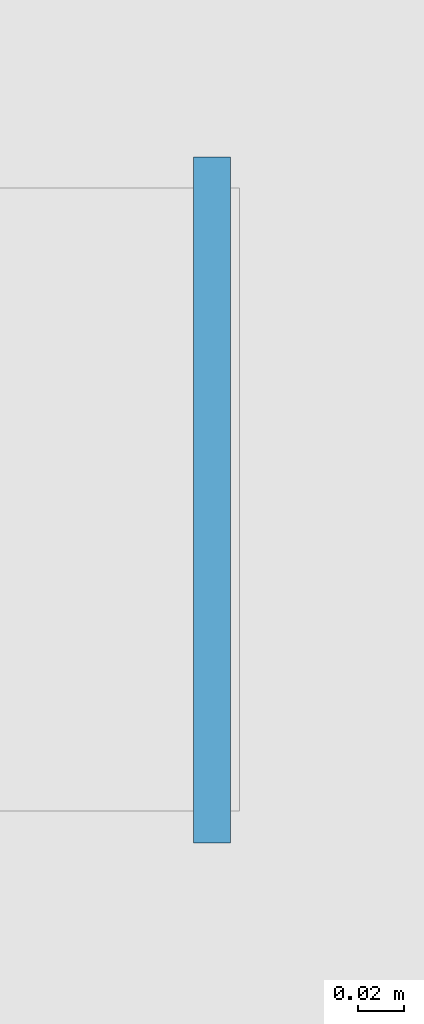
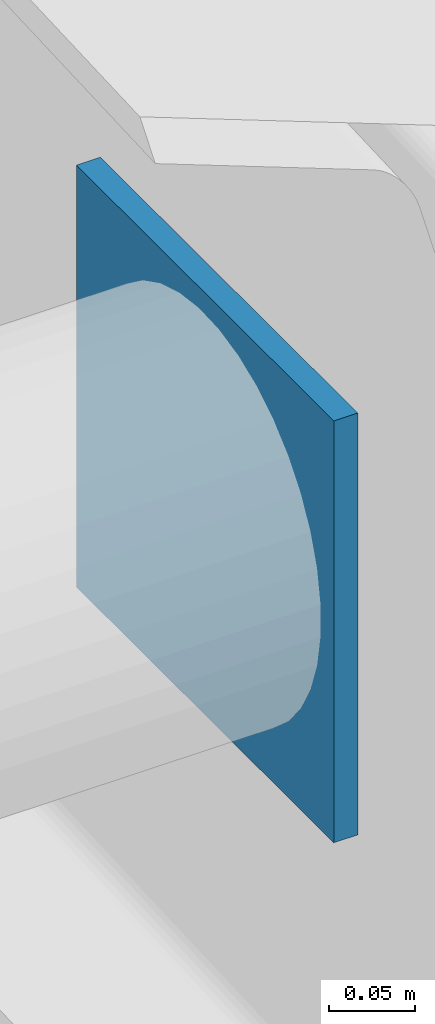
# One storey, part 82 of 150: 1 plate.
"""IFC4 building model written with IfcOpenShell, lengths in metres."""

from ifc_helpers import new_model, si_unit, direction, frame, origin, origin_2d, place, context, subcontext, project, spatial, rectangle, extrude, material, layer, layer_set, type_object, element, save


model = new_model("IFC4")

# Units and contexts
model_context = context("Model", 3, precision=1e-05, world=origin(), true_north=direction((0.0, 1.0)))
body_context = subcontext(model_context, "Body", "Model", "MODEL_VIEW")
ifc_project = project(units=[si_unit("LENGTHUNIT", "METRE"), si_unit("AREAUNIT", "SQUARE_METRE"), si_unit("VOLUMEUNIT", "CUBIC_METRE"), si_unit("PLANEANGLEUNIT", "RADIAN"), si_unit("MASSUNIT", "GRAM", prefix="KILO")], contexts=[model_context])

# Site, building, storey
site_placement = place(None, origin())
site = spatial("IfcSite", under=ifc_project, at=site_placement, CompositionType="ELEMENT")
building_placement = place(site_placement, origin())
building = spatial("IfcBuilding", under=site, at=building_placement, Name="Kestramere Prow Commons", CompositionType="ELEMENT")
storey_placement = place(building_placement, frame((0.0, 0.0, 4.5)))
storey = spatial("IfcBuildingStorey", under=building, at=storey_placement, Name="L01", CompositionType="ELEMENT", Elevation=4.5)

# Plate
ifc_material = material(Name="Steel S355JR", Category="steel")
ifc_layer = layer(ifc_material, 0.01611328125)
ifc_layer_set = layer_set([ifc_layer], Name="Steel S355JR")
plate_type = type_object("IfcPlateType", Name="PL-ENDCAP-16", PredefinedType="SHEET", material=ifc_layer_set)
plate_placement = place(storey_placement, frame((51.179931640625, 34.5, 4.35400390625), z_axis=(0.0, 0.0, 1.0), x_axis=(1.0, 0.0, 0.0)))
element("IfcPlate", 1, at=plate_placement, inside=storey, type_object=plate_type, Name="Tie Strut Cap Plate 7-3B", PredefinedType="SHEET", context=body_context, shape_type="SweptSolid", body=[
    extrude(rectangle(XDim=0.01611328125, YDim=0.300048828125, at=origin_2d()), origin(), (0.0, 0.0, 1.0), 0.300048828125),
])

save(model, "model.ifc")
